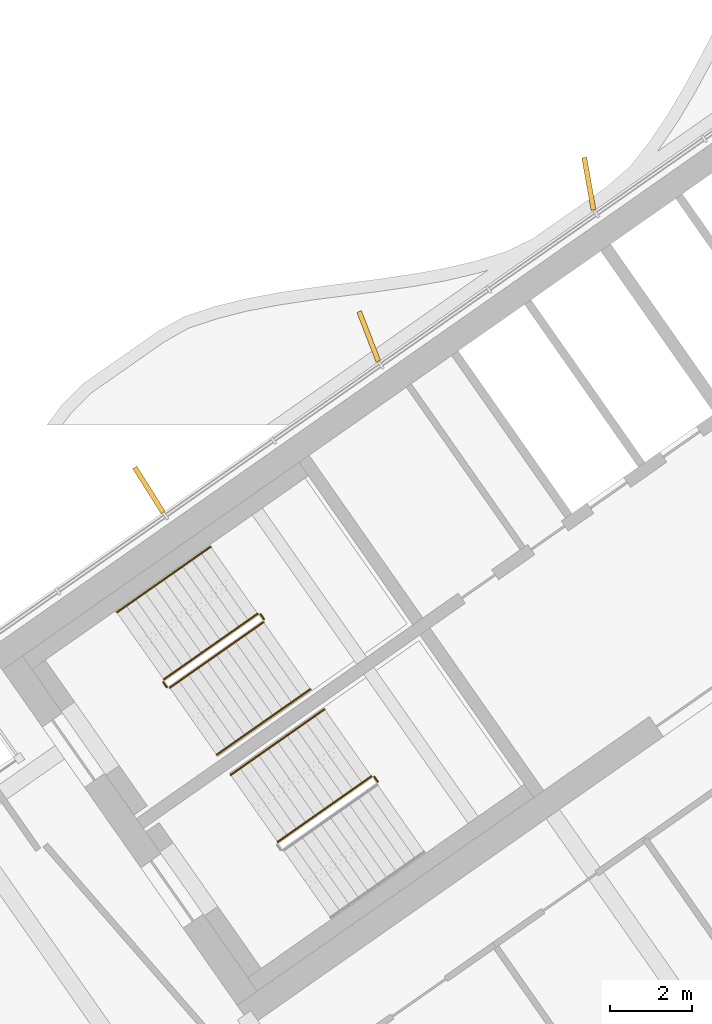
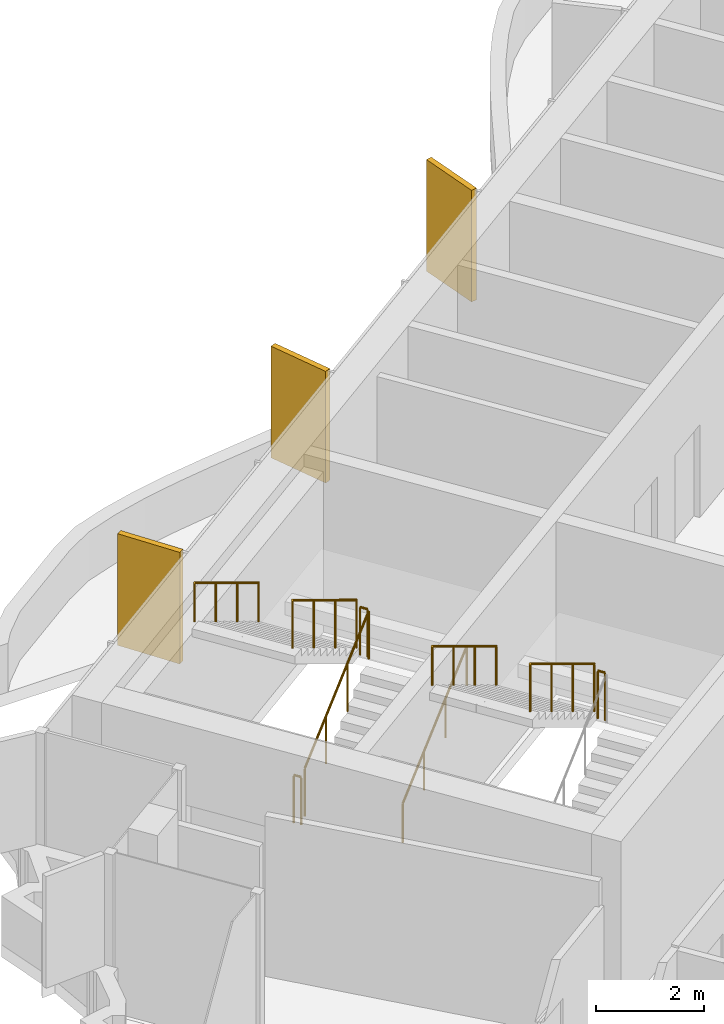
# One storey, part 15 of 18: 9 railings, 3 shading devices.
"""IFC4 building model written with IfcOpenShell, lengths in metres."""

from ifc_helpers import new_model, si_unit, direction, frame, origin, origin_2d, place, context, subcontext, project, spatial, rectangle, circle, extrude, material, layer, layer_set, type_object, element, save


model = new_model("IFC4")

# Units and contexts
model_context = context("Model", 3, precision=1e-05, world=origin(), true_north=direction((0.0, 1.0)))
body_context = subcontext(model_context, "Body", "Model", "MODEL_VIEW")
ifc_project = project(units=[si_unit("LENGTHUNIT", "METRE"), si_unit("AREAUNIT", "SQUARE_METRE"), si_unit("VOLUMEUNIT", "CUBIC_METRE"), si_unit("PLANEANGLEUNIT", "RADIAN"), si_unit("MASSUNIT", "GRAM", prefix="KILO")], contexts=[model_context])

# Site, building, storey
site_placement = place(None, origin())
site = spatial("IfcSite", under=ifc_project, at=site_placement, CompositionType="ELEMENT")
building_placement = place(site_placement, origin())
building = spatial("IfcBuilding", under=site, at=building_placement, Name="Tel Ilan Convention Tower", CompositionType="ELEMENT")
storey_placement = place(building_placement, frame((0.0, 0.0, 299.5)))
storey = spatial("IfcBuildingStorey", under=building, at=storey_placement, Name="L71", CompositionType="ELEMENT", Elevation=299.5)

# Shading devices
ifc_material_1 = material(Name="Aluminium, bronze anodised", Category="aluminium")
ifc_layer = layer(ifc_material_1, 0.1201171875)
ifc_layer_set = layer_set([ifc_layer], Name="FIN BRONZE 1300x120")
shading_device_type = type_object("IfcShadingDeviceType", Name="FIN BRONZE 1300x120", PredefinedType="USERDEFINED", material=ifc_layer_set)
for number, where, z_axis, x_axis, name in (
    (1, (-13.290283203125, 4.26171875, 1.10009765625), (0.0, 0.0, 1.0), (-0.173648177667, 0.984807753012, 0.0), "FIN"),
    (2, (-18.67041015625, 0.5322265625, 1.10009765625), (0.0, 0.0, 1.0), (-0.360177724803, 0.932883704733, 0.0), "FIN"),
    (3, (-24.04150390625, -3.220458984375, 1.10009765625), (0.0, 0.0, 1.0), (-0.533204432798, 0.845986425922, 0.0), "FIN"),
):
    element("IfcShadingDevice", number, at=place(storey_placement, frame(where, z_axis=z_axis, x_axis=x_axis)), inside=storey, type_object=shading_device_type, Name=name, ObjectType="FIN", PredefinedType="USERDEFINED", context=body_context, shape_type="SweptSolid", body=[
        extrude(rectangle(XDim=1.300048828125, YDim=0.1201171875, at=origin_2d()), origin(), (0.0, 0.0, 1.0), 2.52001953125),
    ])

# Railings
ifc_material_2 = material(Name="Stainless Steel Grade 316", Category="steel")
railing_type_1 = type_object("IfcRailingType", Name="Stainless Steel Stair Guard 1100 mm", PredefinedType="GUARDRAIL", material=ifc_material_2)
railing_1_placement = place(storey_placement, frame((-23.535400390625, -8.056396484375, 0.17724609375)))
element("IfcRailing", 4, at=railing_1_placement, inside=storey, type_object=railing_type_1, Name="L71 S1 stair guard 1", PredefinedType="GUARDRAIL", context=body_context, shape_type="SweptSolid", body=[
    extrude(circle(Radius=0.02392578125, at=origin_2d()), frame((0.0, 0.0, 1.076171875), z_axis=(0.692098378994, 0.484653031975, 0.534893701956), x_axis=(-0.573608623498, 0.819129505664, 0.0)), (0.0, 0.0, 1.0), 3.314208984375),
    extrude(circle(Radius=0.02099609375, at=origin_2d()), origin(), (0.0, 0.0, 1.0), 1.052001953125),
    extrude(circle(Radius=0.02099609375, at=origin_2d()), frame((0.7646484375, 0.535400390625, 0.5908203125)), (0.0, 0.0, 1.0), 1.052001953125),
    extrude(circle(Radius=0.02099609375, at=origin_2d()), frame((1.529052734375, 1.07080078125, 1.181884765625)), (0.0, 0.0, 1.0), 1.052001953125),
    extrude(circle(Radius=0.02099609375, at=origin_2d()), frame((2.293701171875, 1.606201171875, 1.772705078125)), (0.0, 0.0, 1.0), 1.052001953125),
])
railing_2_placement = place(storey_placement, frame((-21.2294921875, -6.380615234375, 1.949951171875)))
element("IfcRailing", 5, at=railing_2_placement, inside=storey, type_object=railing_type_1, Name="L71 S1 stair guard 2", PredefinedType="GUARDRAIL", context=body_context, shape_type="SweptSolid", body=[
    extrude(circle(Radius=0.02392578125, at=origin_2d()), frame((0.0, 0.0, 1.076171875), z_axis=(-0.573353020881, 0.819308436089, 0.0), x_axis=(-0.819308436089, -0.573353020881, 0.0)), (0.0, 0.0, 1.0), 0.14990234375),
    extrude(circle(Radius=0.02099609375, at=origin_2d()), origin(), (0.0, 0.0, 1.0), 1.052001953125),
    extrude(circle(Radius=0.02099609375, at=origin_2d()), frame((-0.0859375, 0.122802734375, 0.0)), (0.0, 0.0, 1.0), 1.052001953125),
])
railing_3_placement = place(storey_placement, frame((-21.38525390625, -6.24560546875, 2.127197265625)))
element("IfcRailing", 6, at=railing_3_placement, inside=storey, type_object=railing_type_1, Name="L71 S1 stair guard 3", PredefinedType="GUARDRAIL", context=body_context, shape_type="SweptSolid", body=[
    extrude(circle(Radius=0.02392578125, at=origin_2d()), frame((0.0, 0.0, 1.076171875), z_axis=(-0.692084706163, -0.484621375041, 0.534940073605), x_axis=(0.573591086599, -0.819141785879, 0.0)), (0.0, 0.0, 1.0), 3.313720703125),
    extrude(circle(Radius=0.02099609375, at=origin_2d()), origin(), (0.0, 0.0, 1.0), 1.052001953125),
    extrude(circle(Radius=0.02099609375, at=origin_2d()), frame((-0.764404296875, -0.535400390625, 0.5908203125)), (0.0, 0.0, 1.0), 1.052001953125),
    extrude(circle(Radius=0.02099609375, at=origin_2d()), frame((-1.529052734375, -1.070556640625, 1.181884765625)), (0.0, 0.0, 1.0), 1.052001953125),
    extrude(circle(Radius=0.02099609375, at=origin_2d()), frame((-2.29345703125, -1.60595703125, 1.772705078125)), (0.0, 0.0, 1.0), 1.052001953125),
])
railing_4_placement = place(storey_placement, frame((-23.60498046875, -8.0439453125, 0.0)))
element("IfcRailing", 7, at=railing_4_placement, inside=storey, type_object=railing_type_1, Name="L71 S1 stair guard 4", PredefinedType="GUARDRAIL", context=body_context, shape_type="SweptSolid", body=[
    extrude(circle(Radius=0.02392578125, at=origin_2d()), frame((0.0, 0.0, 1.076171875), z_axis=(-0.574444878118, 0.818543268254, 0.0), x_axis=(-0.818543268254, -0.574444878118, 0.0)), (0.0, 0.0, 1.0), 0.150146484375),
    extrude(circle(Radius=0.02099609375, at=origin_2d()), origin(), (0.0, 0.0, 1.0), 1.052001953125),
    extrude(circle(Radius=0.02099609375, at=origin_2d()), frame((-0.086181640625, 0.122802734375, 0.0)), (0.0, 0.0, 1.0), 1.052001953125),
])
railing_5_placement = place(storey_placement, frame((-18.44775390625, -10.353515625, 1.949951171875)))
element("IfcRailing", 8, at=railing_5_placement, inside=storey, type_object=railing_type_1, Name="L71 S2 stair guard 2", PredefinedType="GUARDRAIL", context=body_context, shape_type="SweptSolid", body=[
    extrude(circle(Radius=0.02392578125, at=origin_2d()), frame((0.0, 0.0, 1.076171875), z_axis=(-0.573353020881, 0.819308436089, 0.0), x_axis=(-0.819308436089, -0.573353020881, 0.0)), (0.0, 0.0, 1.0), 0.14990234375),
    extrude(circle(Radius=0.02099609375, at=origin_2d()), origin(), (0.0, 0.0, 1.0), 1.052001953125),
    extrude(circle(Radius=0.02099609375, at=origin_2d()), frame((-0.0859375, 0.122802734375, 0.0)), (0.0, 0.0, 1.0), 1.052001953125),
])
railing_6_placement = place(storey_placement, frame((-18.603271484375, -10.218505859375, 2.127197265625)))
element("IfcRailing", 9, at=railing_6_placement, inside=storey, type_object=railing_type_1, Name="L71 S2 stair guard 3", PredefinedType="GUARDRAIL", context=body_context, shape_type="SweptSolid", body=[
    extrude(circle(Radius=0.02392578125, at=origin_2d()), frame((0.0, 0.0, 1.076171875), z_axis=(-0.692123088272, -0.484596665743, 0.534912798717), x_axis=(0.573550118428, -0.819170471667, 0.0)), (0.0, 0.0, 1.0), 3.31396484375),
    extrude(circle(Radius=0.02099609375, at=origin_2d()), origin(), (0.0, 0.0, 1.0), 1.052001953125),
    extrude(circle(Radius=0.02099609375, at=origin_2d()), frame((-0.7646484375, -0.535400390625, 0.5908203125)), (0.0, 0.0, 1.0), 1.052001953125),
    extrude(circle(Radius=0.02099609375, at=origin_2d()), frame((-1.529052734375, -1.070556640625, 1.181884765625)), (0.0, 0.0, 1.0), 1.052001953125),
    extrude(circle(Radius=0.02099609375, at=origin_2d()), frame((-2.293701171875, -1.60595703125, 1.772705078125)), (0.0, 0.0, 1.0), 1.052001953125),
])
ifc_material_3 = material(Name="Stainless Steel Grade 316", Category="steel")
railing_type_2 = type_object("IfcRailingType", Name="Stainless Steel Stair Handrail 900 mm", PredefinedType="HANDRAIL", material=ifc_material_3)
railing_7_placement = place(storey_placement, frame((-22.38818359375, -9.694580078125, 0.17724609375)))
element("IfcRailing", 10, at=railing_7_placement, inside=storey, type_object=railing_type_2, Name="L71 S1 stair handrail 1", PredefinedType="HANDRAIL", context=body_context, shape_type="SweptSolid", body=[
    extrude(circle(Radius=0.02392578125, at=origin_2d()), frame((0.0, 0.0, 0.8759765625), z_axis=(0.692084706163, 0.484621375041, 0.534940073605), x_axis=(-0.573591086599, 0.819141785879, 0.0)), (0.0, 0.0, 1.0), 3.313720703125),
    extrude(circle(Radius=0.02099609375, at=origin_2d()), origin(), (0.0, 0.0, 1.0), 0.851806640625),
    extrude(circle(Radius=0.02099609375, at=origin_2d()), frame((0.764404296875, 0.535400390625, 0.5908203125)), (0.0, 0.0, 1.0), 0.851806640625),
    extrude(circle(Radius=0.02099609375, at=origin_2d()), frame((1.529052734375, 1.070556640625, 1.181884765625)), (0.0, 0.0, 1.0), 0.851806640625),
    extrude(circle(Radius=0.02099609375, at=origin_2d()), frame((2.29345703125, 1.60595703125, 1.772705078125)), (0.0, 0.0, 1.0), 0.851806640625),
])
for number, where, name in (
    (11, (-22.5322265625, -4.607177734375, 2.127197265625), "L71 S1 stair handrail 2"),
    (12, (-19.75048828125, -8.580078125, 2.127197265625), "L71 S2 stair handrail 2"),
):
    element("IfcRailing", number, at=place(storey_placement, frame(where)), inside=storey, type_object=railing_type_2, Name=name, PredefinedType="HANDRAIL", context=body_context, shape_type="SweptSolid", body=[
        extrude(circle(Radius=0.02392578125, at=origin_2d()), frame((0.0, 0.0, 0.8759765625), z_axis=(-0.692123088272, -0.484596665743, 0.534912798717), x_axis=(0.573550118428, -0.819170471667, 0.0)), (0.0, 0.0, 1.0), 3.31396484375),
        extrude(circle(Radius=0.02099609375, at=origin_2d()), origin(), (0.0, 0.0, 1.0), 0.851806640625),
        extrude(circle(Radius=0.02099609375, at=origin_2d()), frame((-0.7646484375, -0.535400390625, 0.5908203125)), (0.0, 0.0, 1.0), 0.851806640625),
        extrude(circle(Radius=0.02099609375, at=origin_2d()), frame((-1.529052734375, -1.070556640625, 1.181884765625)), (0.0, 0.0, 1.0), 0.851806640625),
        extrude(circle(Radius=0.02099609375, at=origin_2d()), frame((-2.293701171875, -1.60595703125, 1.772705078125)), (0.0, 0.0, 1.0), 0.851806640625),
    ])

save(model, "model.ifc")
